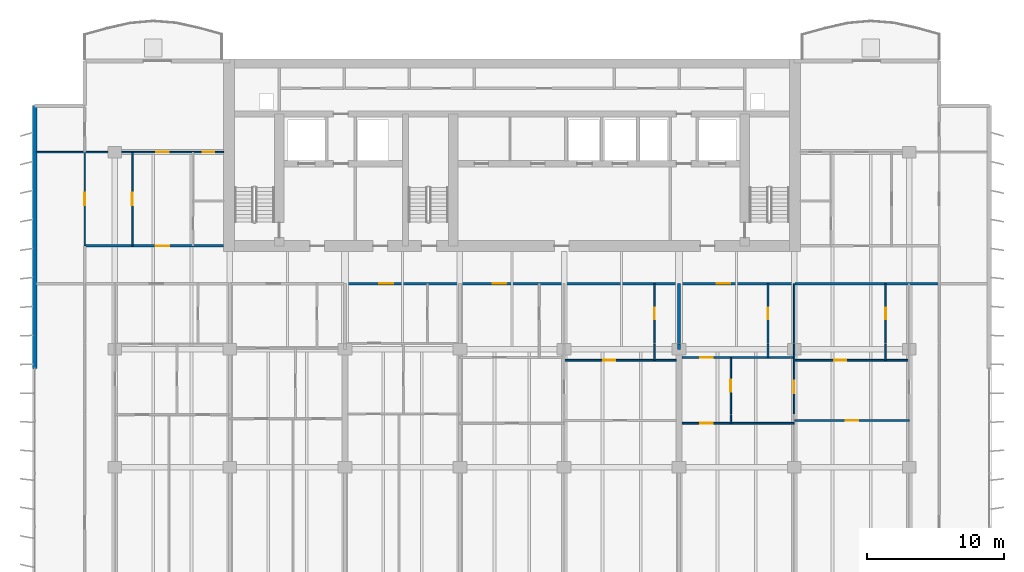
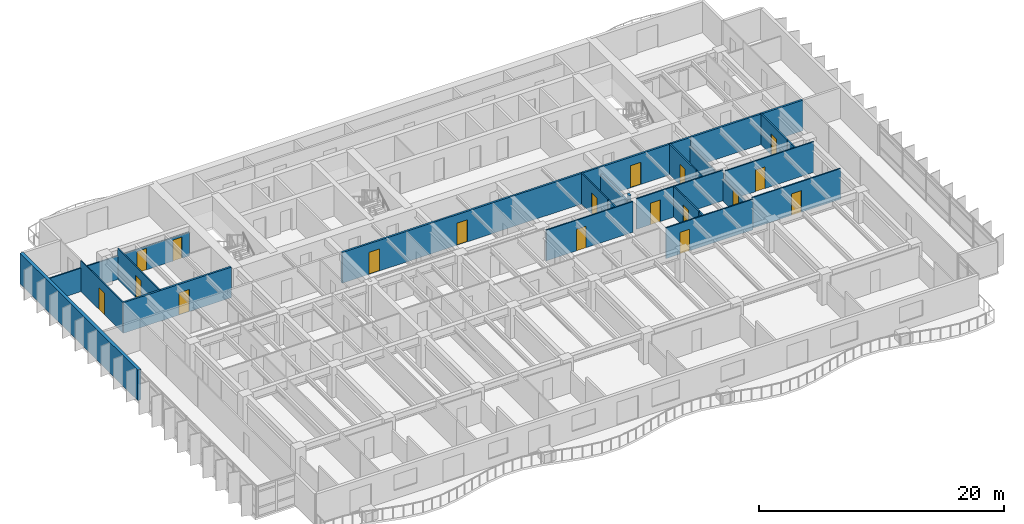
# One storey, part 9 of 16: 24 walls, 18 doors, 18 openings.
"""IFC4 building model written with IfcOpenShell, lengths in metres."""

import ifcopenshell
import ifcopenshell.guid

model = None  # the IFC model being written
_history = None  # IfcOwnerHistory: only IFC2X3 demands one
_inside = {}  # id of a spatial element -> (the spatial element, [elements in it])
_under = {}  # id of a project, library or spatial element -> (it, [spatial elements below it])
_declared = {}  # id of a project -> (the project, [libraries it declares])
_typed = {}  # id of a type object -> (the type object, [elements of that type])
_made_of = {}  # id of a material, layer set ... -> (it, [elements and type objects made of it])


def new_model(schema):
    """Start an empty IFC model of exactly this schema.

    Asked for "IFC4X3", IfcOpenShell would pick the latest addendum, in which some entities
    have other attributes; the version numbers below select the first issue.
    IFC2X3 requires an IfcOwnerHistory on every rooted entity: one is made here for all.
    """
    global model, _history
    if schema == "IFC4X3":
        model = ifcopenshell.file(schema_version=(4, 3, 0, 0))
    else:
        model = ifcopenshell.file(schema=schema)
    _inside.clear()
    _under.clear()
    _declared.clear()
    _typed.clear()
    _made_of.clear()
    _history = None
    if model.schema == "IFC2X3":
        org = make("IfcOrganization", Name="unknown")
        user = make(
            "IfcPersonAndOrganization",
            ThePerson=make("IfcPerson", FamilyName="unknown"),
            TheOrganization=org,
        )
        app = make(
            "IfcApplication",
            ApplicationDeveloper=org,
            Version="unknown",
            ApplicationFullName="unknown",
            ApplicationIdentifier="unknown",
        )
        _history = make(
            "IfcOwnerHistory",
            OwningUser=user,
            OwningApplication=app,
            ChangeAction="ADDED",
            CreationDate=0,
        )
    return model


def make(cls, **values):
    """One entity of the class cls with the attributes given. An attribute that is None is left unset."""
    return model.create_entity(
        cls, **{name: value for name, value in values.items() if value is not None}
    )


def rooted(cls, **values):
    """An entity with a GlobalId (a new one), such as an element, a storey or a relation."""
    return make(cls, GlobalId=ifcopenshell.guid.new(), OwnerHistory=_history, **values)


def si_unit(unit_type, name, prefix=None):
    """IfcSIUnit, for example si_unit("LENGTHUNIT", "METRE", prefix="MILLI")."""
    return make("IfcSIUnit", UnitType=unit_type, Prefix=prefix, Name=name)


def assignment(units):
    """IfcUnitAssignment: the units of a project."""
    return None if units is None else make("IfcUnitAssignment", Units=units)


def point(xyz):
    """IfcCartesianPoint."""
    return None if xyz is None else make("IfcCartesianPoint", Coordinates=xyz)


def direction(xyz):
    """IfcDirection."""
    return None if xyz is None else make("IfcDirection", DirectionRatios=xyz)


def frame(location, z_axis=None, x_axis=None):
    """IfcAxis2Placement3D, a coordinate frame: its origin and axes. An axis left out is left unset."""
    return make(
        "IfcAxis2Placement3D",
        Location=point(location),
        Axis=direction(z_axis),
        RefDirection=direction(x_axis),
    )


def frame_2d(location, x_axis=None):
    """IfcAxis2Placement2D, a coordinate frame in the plane: its origin and x axis."""
    return make(
        "IfcAxis2Placement2D", Location=point(location), RefDirection=direction(x_axis)
    )


def origin():
    """The frame at (0, 0, 0) with its axes left unset."""
    return frame((0.0, 0.0, 0.0))


def place(relative_to, where):
    """IfcLocalPlacement: puts the frame where relative to a parent placement (None: the world)."""
    return make(
        "IfcLocalPlacement", PlacementRelTo=relative_to, RelativePlacement=where
    )


def context(
    kind, dimensions, precision=None, world=None, true_north=None, identifier=None
):
    """IfcGeometricRepresentationContext, for example the 3D "Model" context."""
    return make(
        "IfcGeometricRepresentationContext",
        ContextIdentifier=identifier,
        ContextType=kind,
        CoordinateSpaceDimension=dimensions,
        Precision=precision,
        WorldCoordinateSystem=world,
        TrueNorth=true_north,
    )


def subcontext(parent, identifier, kind, view, scale=None):
    """IfcGeometricRepresentationSubContext, for example "Body" below "Model"."""
    return make(
        "IfcGeometricRepresentationSubContext",
        ContextIdentifier=identifier,
        ContextType=kind,
        ParentContext=parent,
        TargetScale=scale,
        TargetView=view,
    )


def project(units=None, contexts=None):
    """IfcProject with its units and contexts."""
    return rooted(
        "IfcProject",
        Name="project",
        RepresentationContexts=contexts,
        UnitsInContext=assignment(units),
    )


def spatial(cls, under=None, at=None, **own):
    """A site, building, storey or space (cls), placed at a placement, below another one or the project."""
    s = rooted(cls, ObjectPlacement=at, **own)
    if under is not None:
        _under.setdefault(under.id(), (under, []))[1].append(s)
    return s


def profile(cls, at=None, kind="AREA", **sizes):
    """A parametric profile (cls). Its sizes go by their IFC names, for example OverallWidth=200.0."""
    return make(cls, ProfileType=kind, Position=at, **sizes)


def rectangle(**sizes):
    """IfcRectangleProfileDef."""
    return profile("IfcRectangleProfileDef", **sizes)


def extrude(swept, where, along, depth):
    """IfcExtrudedAreaSolid: the profile swept, set in the frame where, extruded along a direction by depth."""
    return make(
        "IfcExtrudedAreaSolid",
        SweptArea=swept,
        Position=where,
        ExtrudedDirection=direction(along),
        Depth=depth,
    )


def shape(context_of_items, identifier, shape_type, items):
    """IfcShapeRepresentation: the items that make up one representation, for example the "Body"."""
    return make(
        "IfcShapeRepresentation",
        ContextOfItems=context_of_items,
        RepresentationIdentifier=identifier,
        RepresentationType=shape_type,
        Items=items,
    )


def material(Name=None, Category=None):
    """IfcMaterial."""
    return make("IfcMaterial", Name=Name, Category=Category)


def layer(
    of_material, thickness, ventilated=None, Name=None, Category=None, Priority=None
):
    """IfcMaterialLayer: one layer of a wall or slab, of a material (None: an air gap)."""
    return make(
        "IfcMaterialLayer",
        Material=of_material,
        LayerThickness=thickness,
        IsVentilated=ventilated,
        Name=Name,
        Category=Category,
        Priority=Priority,
    )


def layer_set(layers, Name=None):
    """IfcMaterialLayerSet."""
    return make("IfcMaterialLayerSet", MaterialLayers=layers, LayerSetName=Name)


def made_of(thing, what):
    """Note that an element or type object is made of a material, layer set ...; save() writes the relation."""
    if what is not None:
        _made_of.setdefault(what.id(), (what, []))[1].append(thing)
    return thing


def type_object(cls, material=None, **own):
    """A type object (cls), such as IfcWallType, which elements share."""
    return made_of(rooted(cls, **own), material)


def element(
    cls,
    number,
    at=None,
    inside=None,
    cuts=None,
    type_object=None,
    material=None,
    context=None,
    identifier="Body",
    shape_type=None,
    held_by="IfcProductDefinitionShape",
    body=None,
    shapes=None,
    **own,
):
    """One element of the class cls, such as IfcWall. Its Tag is "e" and its number.

    at: its placement. inside: the storey or other place that contains it. cuts: it is an
    opening in that element (IfcRelVoidsElement). A single representation is given by context,
    identifier, shape_type and body (its items); several are given by shapes. held_by: the class
    of the entity that holds the representations. save() writes the other relations.
    """
    e = rooted(cls, Tag="e%d" % number, ObjectPlacement=at, **own)
    if body is not None:
        shapes = [shape(context, identifier, shape_type, body)]
    if shapes is not None:
        e.Representation = make(held_by, Representations=shapes)
    if inside is not None:
        _inside.setdefault(inside.id(), (inside, []))[1].append(e)
    if cuts is not None:
        rooted(
            "IfcRelVoidsElement", RelatingBuildingElement=cuts, RelatedOpeningElement=e
        )
    if type_object is not None:
        _typed.setdefault(type_object.id(), (type_object, []))[1].append(e)
    return made_of(e, material)


def fill(opening, filler):
    """IfcRelFillsElement: the door or window that sits in an opening."""
    return rooted(
        "IfcRelFillsElement",
        RelatingOpeningElement=opening,
        RelatedBuildingElement=filler,
    )


def aggregate(whole, parts):
    """IfcRelAggregates: a whole, such as a stair, and the parts it consists of."""
    return rooted("IfcRelAggregates", RelatingObject=whole, RelatedObjects=parts)


def save(model, path):
    """Write the relations noted so far, then the file.

    IfcRelAggregates (storeys below a building ...), IfcRelContainedInSpatialStructure (elements
    in a storey), IfcRelDefinesByType, IfcRelAssociatesMaterial and IfcRelDeclares: one each for
    every whole, place, type object, material and project.
    """
    for whole, parts in _under.values():
        aggregate(whole, parts)
    for where, things in _inside.values():
        rooted(
            "IfcRelContainedInSpatialStructure",
            RelatedElements=things,
            RelatingStructure=where,
        )
    for kind, things in _typed.values():
        rooted("IfcRelDefinesByType", RelatedObjects=things, RelatingType=kind)
    for what, things in _made_of.values():
        rooted("IfcRelAssociatesMaterial", RelatedObjects=things, RelatingMaterial=what)
    for by, libraries in _declared.values():
        rooted("IfcRelDeclares", RelatingContext=by, RelatedDefinitions=libraries)
    model.write(path)


model = new_model("IFC4")

# Units and contexts
model_context = context("Model", 3, precision=1e-05, world=origin(), true_north=direction((0.0, 1.0)))
body_context = subcontext(model_context, "Body", "Model", "MODEL_VIEW")
ifc_project = project(units=[si_unit("LENGTHUNIT", "METRE"), si_unit("AREAUNIT", "SQUARE_METRE"), si_unit("VOLUMEUNIT", "CUBIC_METRE"), si_unit("PLANEANGLEUNIT", "RADIAN"), si_unit("MASSUNIT", "GRAM", prefix="KILO")], contexts=[model_context])

# Site, building, storey
site_placement = place(None, origin())
site = spatial("IfcSite", under=ifc_project, at=site_placement, CompositionType="ELEMENT")
building_placement = place(site_placement, origin())
building = spatial("IfcBuilding", under=site, at=building_placement, Name="Caelmar Bay Residences", CompositionType="ELEMENT")
storey_placement = place(building_placement, frame((0.0, 0.0, 145.5)))
storey = spatial("IfcBuildingStorey", under=building, at=storey_placement, Name="L40", CompositionType="ELEMENT", Elevation=145.5)

# Wall, openings, doors
ifc_material_1 = material(Name="Double-stud acoustic fire-rated gypsum partition 180 mm")
ifc_layer_1 = layer(ifc_material_1, 0.179931640625)
ifc_layer_set_1 = layer_set([ifc_layer_1], Name="Double-stud acoustic fire-rated gypsum partition 180 mm")
wall_type_1 = type_object("IfcWallType", Name="W-COR-200", PredefinedType="PARTITIONING", material=ifc_layer_set_1)
wall_1_placement = place(storey_placement, frame((26.699951171875, 34.199951171875, 0.0), z_axis=(0.0, 0.0, 1.0), x_axis=(1.0, 0.0, 0.0)))
wall_1 = element("IfcWall", 1, at=wall_1_placement, inside=storey, type_object=wall_type_1, Name="L40 Partition Wall H112", PredefinedType="PARTITIONING", context=body_context, shape_type="SweptSolid", body=[
    extrude(rectangle(XDim=32.800048828125, YDim=0.179931640625, at=frame_2d((16.39990234375, 0.0))), origin(), (0.0, 0.0, 1.0), 3.050048828125),
])
opening_1_placement = place(wall_1_placement, frame((2.51904296875, 0.0, 0.0)))
opening_1 = element("IfcOpeningElement", 2, at=opening_1_placement, cuts=wall_1, Name="Opening D-L40-139", PredefinedType="OPENING", context=body_context, shape_type="SweptSolid", body=[
    extrude(rectangle(XDim=1.0, YDim=2.199951171875, at=frame_2d((0.5, 1.10009765625))), frame((0.0, 0.099853515625, 0.0), z_axis=(0.0, -1.0, 0.0), x_axis=(1.0, 0.0, 0.0)), (0.0, 0.0, 1.0), 0.199951171875),
])
opening_2_placement = place(wall_1_placement, frame((10.79248046875, 0.0, 0.0)))
opening_2 = element("IfcOpeningElement", 3, at=opening_2_placement, cuts=wall_1, Name="Opening D-L40-146", PredefinedType="OPENING", context=body_context, shape_type="SweptSolid", body=[
    extrude(rectangle(XDim=1.0, YDim=2.199951171875, at=frame_2d((0.5, 1.10009765625))), frame((0.0, 0.099853515625, 0.0), z_axis=(0.0, -1.0, 0.0), x_axis=(1.0, 0.0, 0.0)), (0.0, 0.0, 1.0), 0.199951171875),
])
opening_3_placement = place(wall_1_placement, frame((27.146484375, 0.0, 0.0)))
opening_3 = element("IfcOpeningElement", 4, at=opening_3_placement, cuts=wall_1, Name="Opening D-L40-155", PredefinedType="OPENING", context=body_context, shape_type="SweptSolid", body=[
    extrude(rectangle(XDim=1.0, YDim=2.199951171875, at=frame_2d((0.5, 1.10009765625))), frame((0.0, 0.099853515625, 0.0), z_axis=(0.0, -1.0, 0.0), x_axis=(1.0, 0.0, 0.0)), (0.0, 0.0, 1.0), 0.199951171875),
])
ifc_material_2 = material(Name="Fire-rated steel and walnut architectural door assembly", Category="steel")
ifc_layer_2 = layer(ifc_material_2, 0.050048828125)
ifc_layer_set_2 = layer_set([ifc_layer_2], Name="Fire-rated steel and walnut architectural door assembly")
door_type_1 = type_object("IfcDoorType", Name="D-UNIT-1000", OperationType="NOTDEFINED", PredefinedType="DOOR", material=ifc_layer_set_2)
door_1_placement = place(opening_1_placement, origin())
door_1 = element("IfcDoor", 5, at=door_1_placement, inside=storey, type_object=door_type_1, Name="L40 Residence 03 Apartment Hall Door", OperationType="SINGLE_SWING_LEFT", OverallHeight=2.199951171875, OverallWidth=1.0, PredefinedType="DOOR", context=body_context, shape_type="SweptSolid", body=[
    extrude(rectangle(XDim=1.0, YDim=2.199951171875, at=frame_2d((0.5, 1.10009765625))), frame((0.0, 0.02490234375, 0.0), z_axis=(0.0, -1.0, 0.0), x_axis=(1.0, 0.0, 0.0)), (0.0, 0.0, 1.0), 0.050048828125),
])
fill(opening_1, door_1)
door_2_placement = place(opening_2_placement, origin())
door_2 = element("IfcDoor", 6, at=door_2_placement, inside=storey, type_object=door_type_1, Name="L40 Residence 04 Apartment Hall Door", OperationType="SINGLE_SWING_RIGHT", OverallHeight=2.199951171875, OverallWidth=1.0, PredefinedType="DOOR", context=body_context, shape_type="SweptSolid", body=[
    extrude(rectangle(XDim=1.0, YDim=2.199951171875, at=frame_2d((0.5, 1.10009765625))), frame((0.0, 0.02490234375, 0.0), z_axis=(0.0, -1.0, 0.0), x_axis=(1.0, 0.0, 0.0)), (0.0, 0.0, 1.0), 0.050048828125),
])
fill(opening_2, door_2)
door_3_placement = place(opening_3_placement, origin())
door_3 = element("IfcDoor", 7, at=door_3_placement, inside=storey, type_object=door_type_1, Name="L40 Residence 05 Apartment Hall Door", OperationType="SINGLE_SWING_LEFT", OverallHeight=2.199951171875, OverallWidth=1.0, PredefinedType="DOOR", context=body_context, shape_type="SweptSolid", body=[
    extrude(rectangle(XDim=1.0, YDim=2.199951171875, at=frame_2d((0.5, 1.10009765625))), frame((0.0, 0.02490234375, 0.0), z_axis=(0.0, -1.0, 0.0), x_axis=(1.0, 0.0, 0.0)), (0.0, 0.0, 1.0), 0.050048828125),
])
fill(opening_3, door_3)

# Wall
wall_2_placement = place(storey_placement, frame((59.550048828125, 34.199951171875, 0.0), z_axis=(0.0, 0.0, 1.0), x_axis=(1.0, 0.0, 0.0)))
element("IfcWall", 8, at=wall_2_placement, inside=storey, type_object=wall_type_1, Name="L40 Partition Wall H113", PredefinedType="PARTITIONING", context=body_context, shape_type="SweptSolid", body=[
    extrude(rectangle(XDim=10.550048828125, YDim=0.179931640625, at=frame_2d((5.27490234375, 0.0))), origin(), (0.0, 0.0, 1.0), 3.050048828125),
])

# Wall, opening, door
wall_3_placement = place(storey_placement, frame((7.699951171875, 36.949951171875, 0.0), z_axis=(0.0, 0.0, 1.0), x_axis=(1.0, 0.0, 0.0)))
wall_3 = element("IfcWall", 9, at=wall_3_placement, inside=storey, type_object=wall_type_1, Name="L40 Partition Wall H115", PredefinedType="PARTITIONING", context=body_context, shape_type="SweptSolid", body=[
    extrude(rectangle(XDim=10.14501953125, YDim=0.179931640625, at=frame_2d((5.072509765625, 0.0))), origin(), (0.0, 0.0, 1.0), 3.050048828125),
])
opening_4_placement = place(wall_3_placement, frame((5.18798828125, 0.0, 0.0)))
opening_4 = element("IfcOpeningElement", 10, at=opening_4_placement, cuts=wall_3, Name="Opening D-L40-169", PredefinedType="OPENING", context=body_context, shape_type="SweptSolid", body=[
    extrude(rectangle(XDim=1.0, YDim=2.199951171875, at=frame_2d((0.5, 1.10009765625))), frame((0.0, 0.099853515625, 0.0), z_axis=(0.0, -1.0, 0.0), x_axis=(1.0, 0.0, 0.0)), (0.0, 0.0, 1.0), 0.199951171875),
])
door_4_placement = place(opening_4_placement, origin())
door_4 = element("IfcDoor", 11, at=door_4_placement, inside=storey, type_object=door_type_1, Name="L40 Residence WA Kitchen Door", OperationType="SINGLE_SWING_LEFT", OverallHeight=2.199951171875, OverallWidth=1.0, PredefinedType="DOOR", context=body_context, shape_type="SweptSolid", body=[
    extrude(rectangle(XDim=1.0, YDim=2.199951171875, at=frame_2d((0.5, 1.10009765625))), frame((0.0, 0.02490234375, 0.0), z_axis=(0.0, -1.0, 0.0), x_axis=(1.0, 0.0, 0.0)), (0.0, 0.0, 1.0), 0.050048828125),
])
fill(opening_4, door_4)

# Wall
ifc_material_3 = material(Name="Precast concrete f'c 40 MPa (6,000 psi)", Category="concrete")
ifc_layer_3 = layer(ifc_material_3, 0.300048828125)
ifc_layer_set_3 = layer_set([ifc_layer_3], Name="Precast concrete f'c 40 MPa (6,000 psi)")
wall_type_2 = type_object("IfcWallType", Name="W-EXT-300", PredefinedType="STANDARD", material=ifc_layer_set_3)
wall_4_placement = place(storey_placement, frame((4.050048828125, 28.0, 0.0), z_axis=(0.0, 0.0, 1.0), x_axis=(0.0, 1.0, 0.0)))
element("IfcWall", 12, at=wall_4_placement, inside=storey, type_object=wall_type_2, Name="L40 West Rear Exterior Wall", PredefinedType="STANDARD", context=body_context, shape_type="SweptSolid", body=[
    extrude(rectangle(XDim=19.199951171875, YDim=0.300048828125, at=frame_2d((9.60009765625, 0.0))), origin(), (0.0, 0.0, 1.0), 3.050048828125),
])

# Wall, opening, door
ifc_material_4 = material(Name="Anodised bronze framed acoustic sliding study partition 100 mm")
ifc_layer_4 = layer(ifc_material_4, 0.10009765625)
ifc_layer_set_4 = layer_set([ifc_layer_4], Name="Anodised bronze framed acoustic sliding study partition 100 mm")
wall_type_3 = type_object("IfcWallType", Name="W-MOV-100", PredefinedType="MOVABLE", material=ifc_layer_set_4)
wall_5_placement = place(storey_placement, frame((7.699951171875, 36.955078125, 0.0), z_axis=(0.0, 0.0, 1.0), x_axis=(0.0, 1.0, 0.0)))
wall_5 = element("IfcWall", 13, at=wall_5_placement, inside=storey, type_object=wall_type_3, Name="L40 Partition Wall V005", PredefinedType="MOVABLE", context=body_context, shape_type="SweptSolid", body=[
    extrude(rectangle(XDim=6.844970703125, YDim=0.10009765625, at=frame_2d((3.42236328125, 0.0))), origin(), (0.0, 0.0, 1.0), 3.050048828125),
])
opening_5_placement = place(wall_5_placement, frame((2.972412109375, 0.0, 0.0)))
opening_5 = element("IfcOpeningElement", 14, at=opening_5_placement, cuts=wall_5, Name="Opening D-L40-173", PredefinedType="OPENING", context=body_context, shape_type="SweptSolid", body=[
    extrude(rectangle(XDim=0.89990234375, YDim=2.14990234375, at=frame_2d((0.449951171875, 1.074951171875))), frame((0.0, 0.06005859375, 0.0), z_axis=(0.0, -1.0, 0.0), x_axis=(1.0, 0.0, 0.0)), (0.0, 0.0, 1.0), 0.1201171875),
])
ifc_material_5 = material(Name="Solid walnut timber interior door leaf and frame", Category="wood")
ifc_layer_5 = layer(ifc_material_5, 0.050048828125)
ifc_layer_set_5 = layer_set([ifc_layer_5], Name="Solid walnut timber interior door leaf and frame")
door_type_2 = type_object("IfcDoorType", Name="D-ROOM-900", OperationType="NOTDEFINED", PredefinedType="DOOR", material=ifc_layer_set_5)
door_5_placement = place(opening_5_placement, origin())
door_5 = element("IfcDoor", 15, at=door_5_placement, inside=storey, type_object=door_type_2, Name="L40 Residence WA Sun Study Door", OperationType="SINGLE_SWING_LEFT", OverallHeight=2.14990234375, OverallWidth=0.89990234375, PredefinedType="DOOR", context=body_context, shape_type="SweptSolid", body=[
    extrude(rectangle(XDim=0.89990234375, YDim=2.14990234375, at=frame_2d((0.449951171875, 1.074951171875))), frame((0.0, 0.02490234375, 0.0), z_axis=(0.0, -1.0, 0.0), x_axis=(1.0, 0.0, 0.0)), (0.0, 0.0, 1.0), 0.050048828125),
])
fill(opening_5, door_5)

ifc_material_6 = material(Name="Acoustic metal-stud gypsum partition 120 mm")
ifc_layer_6 = layer(ifc_material_6, 0.1201171875)
ifc_layer_set_6 = layer_set([ifc_layer_6], Name="Acoustic metal-stud gypsum partition 120 mm")
wall_type_4 = type_object("IfcWallType", Name="W-PRT-120", PredefinedType="PARTITIONING", material=ifc_layer_set_6)
wall_6_placement = place(storey_placement, frame((11.176025390625, 36.949951171875, 0.0), z_axis=(0.0, 0.0, 1.0), x_axis=(0.0, 1.0, 0.0)))
wall_6 = element("IfcWall", 16, at=wall_6_placement, inside=storey, type_object=wall_type_4, Name="L40 Partition Wall V011", PredefinedType="PARTITIONING", context=body_context, shape_type="SweptSolid", body=[
    extrude(rectangle(XDim=6.85009765625, YDim=0.1201171875, at=frame_2d((3.425048828125, 0.0))), origin(), (0.0, 0.0, 1.0), 3.050048828125),
])
opening_6_placement = place(wall_6_placement, frame((2.97509765625, 0.0, 0.0)))
opening_6 = element("IfcOpeningElement", 17, at=opening_6_placement, cuts=wall_6, Name="Opening D-L40-168", PredefinedType="OPENING", context=body_context, shape_type="SweptSolid", body=[
    extrude(rectangle(XDim=0.89990234375, YDim=2.14990234375, at=frame_2d((0.449951171875, 1.074951171875))), frame((0.0, 0.070068359375, 0.0), z_axis=(0.0, -1.0, 0.0), x_axis=(1.0, 0.0, 0.0)), (0.0, 0.0, 1.0), 0.14013671875),
])
door_6_placement = place(opening_6_placement, origin())
door_6 = element("IfcDoor", 18, at=door_6_placement, inside=storey, type_object=door_type_2, Name="L40 Residence WA Dining Room Door", OperationType="SINGLE_SWING_RIGHT", OverallHeight=2.14990234375, OverallWidth=0.89990234375, PredefinedType="DOOR", context=body_context, shape_type="SweptSolid", body=[
    extrude(rectangle(XDim=0.89990234375, YDim=2.14990234375, at=frame_2d((0.449951171875, 1.074951171875))), frame((0.0, 0.02490234375, 0.0), z_axis=(0.0, -1.0, 0.0), x_axis=(1.0, 0.0, 0.0)), (0.0, 0.0, 1.0), 0.050048828125),
])
fill(opening_6, door_6)

# Wall
wall_7_placement = place(storey_placement, frame((49.2958984375, 28.60009765625, 0.0), z_axis=(0.0, 0.0, 1.0), x_axis=(0.0, 1.0, 0.0)))
element("IfcWall", 19, at=wall_7_placement, inside=storey, type_object=wall_type_4, Name="L40 Partition Wall V057", PredefinedType="PARTITIONING", context=body_context, shape_type="SweptSolid", body=[
    extrude(rectangle(XDim=1.179931640625, YDim=0.1201171875, at=frame_2d((0.58984375, 0.0))), origin(), (0.0, 0.0, 1.0), 3.050048828125),
])

# Wall, opening, door
wall_8_placement = place(storey_placement, frame((49.2958984375, 29.840087890625, 0.0), z_axis=(0.0, 0.0, 1.0), x_axis=(0.0, 1.0, 0.0)))
wall_8 = element("IfcWall", 20, at=wall_8_placement, inside=storey, type_object=wall_type_4, Name="L40 Partition Wall V058", PredefinedType="PARTITIONING", context=body_context, shape_type="SweptSolid", body=[
    extrude(rectangle(XDim=4.35986328125, YDim=0.1201171875, at=frame_2d((2.179931640625, 0.0))), origin(), (0.0, 0.0, 1.0), 3.050048828125),
])
opening_7_placement = place(wall_8_placement, frame((1.7548828125, 0.0, 0.0)))
opening_7 = element("IfcOpeningElement", 21, at=opening_7_placement, cuts=wall_8, Name="Opening D-L40-152", PredefinedType="OPENING", context=body_context, shape_type="SweptSolid", body=[
    extrude(rectangle(XDim=0.85009765625, YDim=2.10009765625, at=frame_2d((0.425048828125, 1.050048828125))), frame((0.0, 0.070068359375, 0.0), z_axis=(0.0, -1.0, 0.0), x_axis=(1.0, 0.0, 0.0)), (0.0, 0.0, 1.0), 0.14013671875),
])
ifc_layer_7 = layer(ifc_material_5, 0.050048828125)
ifc_layer_set_7 = layer_set([ifc_layer_7], Name="Solid walnut timber interior door leaf and frame")
door_type_3 = type_object("IfcDoorType", Name="D-BATH-850", OperationType="NOTDEFINED", PredefinedType="DOOR", material=ifc_layer_set_7)
door_7_placement = place(opening_7_placement, origin())
door_7 = element("IfcDoor", 22, at=door_7_placement, inside=storey, type_object=door_type_3, Name="L40 Residence 04 En-Suite Bathroom 1 Door", OperationType="SINGLE_SWING_RIGHT", OverallHeight=2.10009765625, OverallWidth=0.85009765625, PredefinedType="DOOR", context=body_context, shape_type="SweptSolid", body=[
    extrude(rectangle(XDim=0.85009765625, YDim=2.10009765625, at=frame_2d((0.425048828125, 1.050048828125))), frame((0.0, 0.02490234375, 0.0), z_axis=(0.0, -1.0, 0.0), x_axis=(1.0, 0.0, 0.0)), (0.0, 0.0, 1.0), 0.050048828125),
])
fill(opening_7, door_7)

# Wall
wall_9_placement = place(storey_placement, frame((54.8798828125, 24.0, 0.0), z_axis=(0.0, 0.0, 1.0), x_axis=(0.0, 1.0, 0.0)))
element("IfcWall", 23, at=wall_9_placement, inside=storey, type_object=wall_type_4, Name="L40 Partition Wall V067", PredefinedType="PARTITIONING", context=body_context, shape_type="SweptSolid", body=[
    extrude(rectangle(XDim=0.6298828125, YDim=0.1201171875, at=frame_2d((0.31494140625, 0.0))), origin(), (0.0, 0.0, 1.0), 3.050048828125),
])

# Wall, opening, door
wall_10_placement = place(storey_placement, frame((54.8798828125, 24.68994140625, 0.0), z_axis=(0.0, 0.0, 1.0), x_axis=(0.0, 1.0, 0.0)))
wall_10 = element("IfcWall", 24, at=wall_10_placement, inside=storey, type_object=wall_type_4, Name="L40 Partition Wall V068", PredefinedType="PARTITIONING", context=body_context, shape_type="SweptSolid", body=[
    extrude(rectangle(XDim=4.110107421875, YDim=0.1201171875, at=frame_2d((2.05517578125, 0.0))), origin(), (0.0, 0.0, 1.0), 3.050048828125),
])
opening_8_placement = place(wall_10_placement, frame((1.60498046875, 0.0, 0.0)))
opening_8 = element("IfcOpeningElement", 25, at=opening_8_placement, cuts=wall_10, Name="Opening D-L40-158", PredefinedType="OPENING", context=body_context, shape_type="SweptSolid", body=[
    extrude(rectangle(XDim=0.89990234375, YDim=2.14990234375, at=frame_2d((0.449951171875, 1.074951171875))), frame((0.0, 0.070068359375, 0.0), z_axis=(0.0, -1.0, 0.0), x_axis=(1.0, 0.0, 0.0)), (0.0, 0.0, 1.0), 0.14013671875),
])
door_8_placement = place(opening_8_placement, origin())
door_8 = element("IfcDoor", 26, at=door_8_placement, inside=storey, type_object=door_type_2, Name="L40 Residence 05 Kitchen Door", OperationType="SINGLE_SWING_RIGHT", OverallHeight=2.14990234375, OverallWidth=0.89990234375, PredefinedType="DOOR", context=body_context, shape_type="SweptSolid", body=[
    extrude(rectangle(XDim=0.89990234375, YDim=2.14990234375, at=frame_2d((0.449951171875, 1.074951171875))), frame((0.0, 0.02490234375, 0.0), z_axis=(0.0, -1.0, 0.0), x_axis=(1.0, 0.0, 0.0)), (0.0, 0.0, 1.0), 0.050048828125),
])
fill(opening_8, door_8)

# Wall
wall_11_placement = place(storey_placement, frame((57.593017578125, 28.800048828125, 0.0), z_axis=(0.0, 0.0, 1.0), x_axis=(0.0, 1.0, 0.0)))
element("IfcWall", 27, at=wall_11_placement, inside=storey, type_object=wall_type_4, Name="L40 Partition Wall V070", PredefinedType="PARTITIONING", context=body_context, shape_type="SweptSolid", body=[
    extrude(rectangle(XDim=0.97998046875, YDim=0.1201171875, at=frame_2d((0.489990234375, 0.0))), origin(), (0.0, 0.0, 1.0), 3.050048828125),
])

# Wall, opening, door
wall_12_placement = place(storey_placement, frame((57.593017578125, 29.840087890625, 0.0), z_axis=(0.0, 0.0, 1.0), x_axis=(0.0, 1.0, 0.0)))
wall_12 = element("IfcWall", 28, at=wall_12_placement, inside=storey, type_object=wall_type_4, Name="L40 Partition Wall V071", PredefinedType="PARTITIONING", context=body_context, shape_type="SweptSolid", body=[
    extrude(rectangle(XDim=4.35986328125, YDim=0.1201171875, at=frame_2d((2.179931640625, 0.0))), origin(), (0.0, 0.0, 1.0), 3.050048828125),
])
opening_9_placement = place(wall_12_placement, frame((1.7548828125, 0.0, 0.0)))
opening_9 = element("IfcOpeningElement", 29, at=opening_9_placement, cuts=wall_12, Name="Opening D-L40-156", PredefinedType="OPENING", context=body_context, shape_type="SweptSolid", body=[
    extrude(rectangle(XDim=0.85009765625, YDim=2.10009765625, at=frame_2d((0.425048828125, 1.050048828125))), frame((0.0, 0.070068359375, 0.0), z_axis=(0.0, -1.0, 0.0), x_axis=(1.0, 0.0, 0.0)), (0.0, 0.0, 1.0), 0.14013671875),
])
door_9_placement = place(opening_9_placement, origin())
door_9 = element("IfcDoor", 30, at=door_9_placement, inside=storey, type_object=door_type_3, Name="L40 Residence 05 Guest Bathroom Door", OperationType="SINGLE_SWING_RIGHT", OverallHeight=2.10009765625, OverallWidth=0.85009765625, PredefinedType="DOOR", context=body_context, shape_type="SweptSolid", body=[
    extrude(rectangle(XDim=0.85009765625, YDim=2.10009765625, at=frame_2d((0.425048828125, 1.050048828125))), frame((0.0, 0.02490234375, 0.0), z_axis=(0.0, -1.0, 0.0), x_axis=(1.0, 0.0, 0.0)), (0.0, 0.0, 1.0), 0.050048828125),
])
fill(opening_9, door_9)

wall_13_placement = place(storey_placement, frame((59.5, 24.68994140625, 0.0), z_axis=(0.0, 0.0, 1.0), x_axis=(0.0, 1.0, 0.0)))
wall_13 = element("IfcWall", 31, at=wall_13_placement, inside=storey, type_object=wall_type_4, Name="L40 Partition Wall V074", PredefinedType="PARTITIONING", context=body_context, shape_type="SweptSolid", body=[
    extrude(rectangle(XDim=5.090087890625, YDim=0.1201171875, at=frame_2d((2.544921875, 0.0))), origin(), (0.0, 0.0, 1.0), 2.174072265625),
])
opening_10_placement = place(wall_13_placement, frame((1.5048828125, 0.0, 0.0)))
opening_10 = element("IfcOpeningElement", 32, at=opening_10_placement, cuts=wall_13, Name="Opening D-L40-160", PredefinedType="OPENING", context=body_context, shape_type="SweptSolid", body=[
    extrude(rectangle(XDim=0.89990234375, YDim=2.1240234375, at=frame_2d((0.449951171875, 1.06201171875))), frame((0.0, 0.070068359375, 0.0), z_axis=(0.0, -1.0, 0.0), x_axis=(1.0, 0.0, 0.0)), (0.0, 0.0, 1.0), 0.14013671875),
])
door_10_placement = place(opening_10_placement, origin())
door_10 = element("IfcDoor", 33, at=door_10_placement, inside=storey, type_object=door_type_2, Name="L40 Residence 05 Atelier Office 1 Door", OperationType="SINGLE_SWING_RIGHT", OverallHeight=2.1240234375, OverallWidth=0.89990234375, PredefinedType="DOOR", context=body_context, shape_type="SweptSolid", body=[
    extrude(rectangle(XDim=0.89990234375, YDim=2.1240234375, at=frame_2d((0.449951171875, 1.06201171875))), frame((0.0, 0.02490234375, 0.0), z_axis=(0.0, -1.0, 0.0), x_axis=(1.0, 0.0, 0.0)), (0.0, 0.0, 1.0), 0.050048828125),
])
fill(opening_10, door_10)

# Walls
wall_14_placement = place(storey_placement, frame((59.5, 29.840087890625, 0.0), z_axis=(0.0, 0.0, 1.0), x_axis=(0.0, 1.0, 0.0)))
element("IfcWall", 34, at=wall_14_placement, inside=storey, type_object=wall_type_4, Name="L40 Partition Wall V075", PredefinedType="PARTITIONING", context=body_context, shape_type="SweptSolid", body=[
    extrude(rectangle(XDim=4.35986328125, YDim=0.1201171875, at=frame_2d((2.179931640625, 0.0))), origin(), (0.0, 0.0, 1.0), 2.174072265625),
])
wall_15_placement = place(storey_placement, frame((66.18603515625, 28.60009765625, 0.0), z_axis=(0.0, 0.0, 1.0), x_axis=(0.0, 1.0, 0.0)))
element("IfcWall", 35, at=wall_15_placement, inside=storey, type_object=wall_type_4, Name="L40 Partition Wall V077", PredefinedType="PARTITIONING", context=body_context, shape_type="SweptSolid", body=[
    extrude(rectangle(XDim=1.179931640625, YDim=0.1201171875, at=frame_2d((0.58984375, 0.0))), origin(), (0.0, 0.0, 1.0), 3.050048828125),
])

# Wall, opening, door
wall_16_placement = place(storey_placement, frame((66.18603515625, 29.840087890625, 0.0), z_axis=(0.0, 0.0, 1.0), x_axis=(0.0, 1.0, 0.0)))
wall_16 = element("IfcWall", 36, at=wall_16_placement, inside=storey, type_object=wall_type_4, Name="L40 Partition Wall V078", PredefinedType="PARTITIONING", context=body_context, shape_type="SweptSolid", body=[
    extrude(rectangle(XDim=4.35986328125, YDim=0.1201171875, at=frame_2d((2.179931640625, 0.0))), origin(), (0.0, 0.0, 1.0), 3.050048828125),
])
opening_11_placement = place(wall_16_placement, frame((1.7548828125, 0.0, 0.0)))
opening_11 = element("IfcOpeningElement", 37, at=opening_11_placement, cuts=wall_16, Name="Opening D-L40-162", PredefinedType="OPENING", context=body_context, shape_type="SweptSolid", body=[
    extrude(rectangle(XDim=0.85009765625, YDim=2.10009765625, at=frame_2d((0.425048828125, 1.050048828125))), frame((0.0, 0.070068359375, 0.0), z_axis=(0.0, -1.0, 0.0), x_axis=(1.0, 0.0, 0.0)), (0.0, 0.0, 1.0), 0.14013671875),
])
door_11_placement = place(opening_11_placement, origin())
door_11 = element("IfcDoor", 38, at=door_11_placement, inside=storey, type_object=door_type_3, Name="L40 Residence 05 En-Suite Bathroom 1 Door", OperationType="SINGLE_SWING_RIGHT", OverallHeight=2.10009765625, OverallWidth=0.85009765625, PredefinedType="DOOR", context=body_context, shape_type="SweptSolid", body=[
    extrude(rectangle(XDim=0.85009765625, YDim=2.10009765625, at=frame_2d((0.425048828125, 1.050048828125))), frame((0.0, 0.02490234375, 0.0), z_axis=(0.0, -1.0, 0.0), x_axis=(1.0, 0.0, 0.0)), (0.0, 0.0, 1.0), 0.050048828125),
])
fill(opening_11, door_11)

wall_17_placement = place(storey_placement, frame((51.320068359375, 24.0, 0.0), z_axis=(0.0, 0.0, 1.0), x_axis=(1.0, 0.0, 0.0)))
wall_17 = element("IfcWall", 39, at=wall_17_placement, inside=storey, type_object=wall_type_4, Name="L40 Partition Wall H096", PredefinedType="PARTITIONING", context=body_context, shape_type="SweptSolid", body=[
    extrude(rectangle(XDim=8.179931640625, YDim=0.1201171875, at=frame_2d((4.08984375, 0.0))), origin(), (0.0, 0.0, 1.0), 3.050048828125),
])
opening_12_placement = place(wall_17_placement, frame((1.330078125, 0.0, 0.0)))
opening_12 = element("IfcOpeningElement", 40, at=opening_12_placement, cuts=wall_17, Name="Opening D-L40-159", PredefinedType="OPENING", context=body_context, shape_type="SweptSolid", body=[
    extrude(rectangle(XDim=0.89990234375, YDim=2.14990234375, at=frame_2d((0.449951171875, 1.074951171875))), frame((0.0, 0.070068359375, 0.0), z_axis=(0.0, -1.0, 0.0), x_axis=(1.0, 0.0, 0.0)), (0.0, 0.0, 1.0), 0.14013671875),
])
door_12_placement = place(opening_12_placement, origin())
door_12 = element("IfcDoor", 41, at=door_12_placement, inside=storey, type_object=door_type_2, Name="L40 Residence 05 Penthouse Living Salon Door", OperationType="SINGLE_SWING_LEFT", OverallHeight=2.14990234375, OverallWidth=0.89990234375, PredefinedType="DOOR", context=body_context, shape_type="SweptSolid", body=[
    extrude(rectangle(XDim=0.89990234375, YDim=2.14990234375, at=frame_2d((0.449951171875, 1.074951171875))), frame((0.0, 0.02490234375, 0.0), z_axis=(0.0, -1.0, 0.0), x_axis=(1.0, 0.0, 0.0)), (0.0, 0.0, 1.0), 0.050048828125),
])
fill(opening_12, door_12)

wall_18_placement = place(storey_placement, frame((59.550048828125, 24.199951171875, 0.0), z_axis=(0.0, 0.0, 1.0), x_axis=(1.0, 0.0, 0.0)))
wall_18 = element("IfcWall", 42, at=wall_18_placement, inside=storey, type_object=wall_type_4, Name="L40 Partition Wall H098", PredefinedType="PARTITIONING", context=body_context, shape_type="SweptSolid", body=[
    extrude(rectangle(XDim=8.349853515625, YDim=0.1201171875, at=frame_2d((4.1748046875, 0.0))), origin(), (0.0, 0.0, 1.0), 3.050048828125),
])
opening_13_placement = place(wall_18_placement, frame((3.72509765625, 0.0, 0.0)))
opening_13 = element("IfcOpeningElement", 43, at=opening_13_placement, cuts=wall_18, Name="Opening D-L40-163", PredefinedType="OPENING", context=body_context, shape_type="SweptSolid", body=[
    extrude(rectangle(XDim=0.89990234375, YDim=2.14990234375, at=frame_2d((0.449951171875, 1.074951171875))), frame((0.0, 0.070068359375, 0.0), z_axis=(0.0, -1.0, 0.0), x_axis=(1.0, 0.0, 0.0)), (0.0, 0.0, 1.0), 0.14013671875),
])
door_13_placement = place(opening_13_placement, origin())
door_13 = element("IfcDoor", 44, at=door_13_placement, inside=storey, type_object=door_type_2, Name="L40 Residence 05 Penthouse Sitting Salon 1 Door", OperationType="SINGLE_SWING_LEFT", OverallHeight=2.14990234375, OverallWidth=0.89990234375, PredefinedType="DOOR", context=body_context, shape_type="SweptSolid", body=[
    extrude(rectangle(XDim=0.89990234375, YDim=2.14990234375, at=frame_2d((0.449951171875, 1.074951171875))), frame((0.0, 0.02490234375, 0.0), z_axis=(0.0, -1.0, 0.0), x_axis=(1.0, 0.0, 0.0)), (0.0, 0.0, 1.0), 0.050048828125),
])
fill(opening_13, door_13)

wall_19_placement = place(storey_placement, frame((42.699951171875, 28.60009765625, 0.0), z_axis=(0.0, 0.0, 1.0), x_axis=(1.0, 0.0, 0.0)))
wall_19 = element("IfcWall", 45, at=wall_19_placement, inside=storey, type_object=wall_type_4, Name="L40 Partition Wall H102", PredefinedType="PARTITIONING", context=body_context, shape_type="SweptSolid", body=[
    extrude(rectangle(XDim=8.179931640625, YDim=0.1201171875, at=frame_2d((4.08984375, 0.0))), origin(), (0.0, 0.0, 1.0), 3.050048828125),
])
opening_14_placement = place(wall_19_placement, frame((2.847900390625, 0.0, 0.0)))
opening_14 = element("IfcOpeningElement", 46, at=opening_14_placement, cuts=wall_19, Name="Opening D-L40-151", PredefinedType="OPENING", context=body_context, shape_type="SweptSolid", body=[
    extrude(rectangle(XDim=0.89990234375, YDim=2.14990234375, at=frame_2d((0.449951171875, 1.074951171875))), frame((0.0, 0.070068359375, 0.0), z_axis=(0.0, -1.0, 0.0), x_axis=(1.0, 0.0, 0.0)), (0.0, 0.0, 1.0), 0.14013671875),
])
door_14_placement = place(opening_14_placement, origin())
door_14 = element("IfcDoor", 47, at=door_14_placement, inside=storey, type_object=door_type_2, Name="L40 Residence 04 Executive Workroom 1 Door", OperationType="SINGLE_SWING_LEFT", OverallHeight=2.14990234375, OverallWidth=0.89990234375, PredefinedType="DOOR", context=body_context, shape_type="SweptSolid", body=[
    extrude(rectangle(XDim=0.89990234375, YDim=2.14990234375, at=frame_2d((0.449951171875, 1.074951171875))), frame((0.0, 0.02490234375, 0.0), z_axis=(0.0, -1.0, 0.0), x_axis=(1.0, 0.0, 0.0)), (0.0, 0.0, 1.0), 0.050048828125),
])
fill(opening_14, door_14)

wall_20_placement = place(storey_placement, frame((59.550048828125, 28.60009765625, 0.0), z_axis=(0.0, 0.0, 1.0), x_axis=(1.0, 0.0, 0.0)))
wall_20 = element("IfcWall", 48, at=wall_20_placement, inside=storey, type_object=wall_type_4, Name="L40 Partition Wall H103", PredefinedType="PARTITIONING", context=body_context, shape_type="SweptSolid", body=[
    extrude(rectangle(XDim=8.349853515625, YDim=0.1201171875, at=frame_2d((4.1748046875, 0.0))), origin(), (0.0, 0.0, 1.0), 3.050048828125),
])
opening_15_placement = place(wall_20_placement, frame((2.867919921875, 0.0, 0.0)))
opening_15 = element("IfcOpeningElement", 49, at=opening_15_placement, cuts=wall_20, Name="Opening D-L40-161", PredefinedType="OPENING", context=body_context, shape_type="SweptSolid", body=[
    extrude(rectangle(XDim=0.89990234375, YDim=2.14990234375, at=frame_2d((0.449951171875, 1.074951171875))), frame((0.0, 0.070068359375, 0.0), z_axis=(0.0, -1.0, 0.0), x_axis=(1.0, 0.0, 0.0)), (0.0, 0.0, 1.0), 0.14013671875),
])
door_15_placement = place(opening_15_placement, origin())
door_15 = element("IfcDoor", 50, at=door_15_placement, inside=storey, type_object=door_type_2, Name="L40 Residence 05 Executive Workroom 1 Door", OperationType="SINGLE_SWING_LEFT", OverallHeight=2.14990234375, OverallWidth=0.89990234375, PredefinedType="DOOR", context=body_context, shape_type="SweptSolid", body=[
    extrude(rectangle(XDim=0.89990234375, YDim=2.14990234375, at=frame_2d((0.449951171875, 1.074951171875))), frame((0.0, 0.02490234375, 0.0), z_axis=(0.0, -1.0, 0.0), x_axis=(1.0, 0.0, 0.0)), (0.0, 0.0, 1.0), 0.050048828125),
])
fill(opening_15, door_15)

wall_21_placement = place(storey_placement, frame((51.320068359375, 28.800048828125, 0.0), z_axis=(0.0, 0.0, 1.0), x_axis=(1.0, 0.0, 0.0)))
wall_21 = element("IfcWall", 51, at=wall_21_placement, inside=storey, type_object=wall_type_4, Name="L40 Partition Wall H105", PredefinedType="PARTITIONING", context=body_context, shape_type="SweptSolid", body=[
    extrude(rectangle(XDim=8.179931640625, YDim=0.1201171875, at=frame_2d((4.08984375, 0.0))), origin(), (0.0, 0.0, 1.0), 3.050048828125),
])
opening_16_placement = place(wall_21_placement, frame((1.330078125, 0.0, 0.0)))
opening_16 = element("IfcOpeningElement", 52, at=opening_16_placement, cuts=wall_21, Name="Opening D-L40-157", PredefinedType="OPENING", context=body_context, shape_type="SweptSolid", body=[
    extrude(rectangle(XDim=0.89990234375, YDim=2.14990234375, at=frame_2d((0.449951171875, 1.074951171875))), frame((0.0, 0.070068359375, 0.0), z_axis=(0.0, -1.0, 0.0), x_axis=(1.0, 0.0, 0.0)), (0.0, 0.0, 1.0), 0.14013671875),
])
door_16_placement = place(opening_16_placement, origin())
door_16 = element("IfcDoor", 53, at=door_16_placement, inside=storey, type_object=door_type_2, Name="L40 Residence 05 Dining Room Door", OperationType="SINGLE_SWING_LEFT", OverallHeight=2.14990234375, OverallWidth=0.89990234375, PredefinedType="DOOR", context=body_context, shape_type="SweptSolid", body=[
    extrude(rectangle(XDim=0.89990234375, YDim=2.14990234375, at=frame_2d((0.449951171875, 1.074951171875))), frame((0.0, 0.02490234375, 0.0), z_axis=(0.0, -1.0, 0.0), x_axis=(1.0, 0.0, 0.0)), (0.0, 0.0, 1.0), 0.050048828125),
])
fill(opening_16, door_16)

# Wall, openings, doors
wall_22_placement = place(storey_placement, frame((4.195068359375, 43.800048828125, 0.0), z_axis=(0.0, 0.0, 1.0), x_axis=(1.0, 0.0, 0.0)))
wall_22 = element("IfcWall", 54, at=wall_22_placement, inside=storey, type_object=wall_type_4, Name="L40 Partition Wall H119", PredefinedType="PARTITIONING", context=body_context, shape_type="SweptSolid", body=[
    extrude(rectangle(XDim=13.659912109375, YDim=0.1201171875, at=frame_2d((6.830078125, 0.0))), origin(), (0.0, 0.0, 1.0), 2.339111328125),
])
opening_17_placement = place(wall_22_placement, frame((8.742919921875, 0.0, 0.0)))
opening_17 = element("IfcOpeningElement", 55, at=opening_17_placement, cuts=wall_22, Name="Opening D-L40-170", PredefinedType="OPENING", context=body_context, shape_type="SweptSolid", body=[
    extrude(rectangle(XDim=0.89990234375, YDim=2.14990234375, at=frame_2d((0.449951171875, 1.074951171875))), frame((0.0, 0.070068359375, 0.0), z_axis=(0.0, -1.0, 0.0), x_axis=(1.0, 0.0, 0.0)), (0.0, 0.0, 1.0), 0.14013671875),
])
opening_18_placement = place(wall_22_placement, frame((12.107421875, 0.0, 0.0)))
opening_18 = element("IfcOpeningElement", 56, at=opening_18_placement, cuts=wall_22, Name="Opening D-L40-172", PredefinedType="OPENING", context=body_context, shape_type="SweptSolid", body=[
    extrude(rectangle(XDim=0.85009765625, YDim=2.10009765625, at=frame_2d((0.425048828125, 1.050048828125))), frame((0.0, 0.070068359375, 0.0), z_axis=(0.0, -1.0, 0.0), x_axis=(1.0, 0.0, 0.0)), (0.0, 0.0, 1.0), 0.14013671875),
])
door_17_placement = place(opening_18_placement, origin())
door_17 = element("IfcDoor", 57, at=door_17_placement, inside=storey, type_object=door_type_3, Name="L40 Residence WA Bathroom Door", OperationType="SINGLE_SWING_RIGHT", OverallHeight=2.10009765625, OverallWidth=0.85009765625, PredefinedType="DOOR", context=body_context, shape_type="SweptSolid", body=[
    extrude(rectangle(XDim=0.85009765625, YDim=2.10009765625, at=frame_2d((0.425048828125, 1.050048828125))), frame((0.0, 0.02490234375, 0.0), z_axis=(0.0, -1.0, 0.0), x_axis=(1.0, 0.0, 0.0)), (0.0, 0.0, 1.0), 0.050048828125),
])
fill(opening_18, door_17)
door_18_placement = place(opening_17_placement, origin())
door_18 = element("IfcDoor", 58, at=door_18_placement, inside=storey, type_object=door_type_2, Name="L40 Residence WA Studio Living and Sleeping Room Door", OperationType="SINGLE_SWING_RIGHT", OverallHeight=2.14990234375, OverallWidth=0.89990234375, PredefinedType="DOOR", context=body_context, shape_type="SweptSolid", body=[
    extrude(rectangle(XDim=0.89990234375, YDim=2.14990234375, at=frame_2d((0.449951171875, 1.074951171875))), frame((0.0, 0.02490234375, 0.0), z_axis=(0.0, -1.0, 0.0), x_axis=(1.0, 0.0, 0.0)), (0.0, 0.0, 1.0), 0.050048828125),
])
fill(opening_17, door_18)

# Walls
ifc_material_7 = material(Name="Acoustic twin-stud fire-rated inter-tenancy partition 200 mm")
ifc_layer_8 = layer(ifc_material_7, 0.199951171875)
ifc_layer_set_8 = layer_set([ifc_layer_8], Name="Acoustic twin-stud fire-rated inter-tenancy partition 200 mm")
wall_type_5 = type_object("IfcWallType", Name="W-PTY-200", PredefinedType="PARTITIONING", material=ifc_layer_set_8)
wall_23_placement = place(storey_placement, frame((51.10009765625, 29.405029296875, 0.0), z_axis=(0.0, 0.0, 1.0), x_axis=(0.0, 1.0, 0.0)))
element("IfcWall", 59, at=wall_23_placement, inside=storey, type_object=wall_type_5, Name="L40 Partition Wall V063", PredefinedType="PARTITIONING", context=body_context, shape_type="SweptSolid", body=[
    extrude(rectangle(XDim=0.375, YDim=0.199951171875, at=frame_2d((0.1875, 0.0))), origin(), (0.0, 0.0, 1.0), 3.050048828125),
])
wall_24_placement = place(storey_placement, frame((51.10009765625, 29.840087890625, 0.0), z_axis=(0.0, 0.0, 1.0), x_axis=(0.0, 1.0, 0.0)))
element("IfcWall", 60, at=wall_24_placement, inside=storey, type_object=wall_type_5, Name="L40 Partition Wall V064", PredefinedType="PARTITIONING", context=body_context, shape_type="SweptSolid", body=[
    extrude(rectangle(XDim=4.35986328125, YDim=0.199951171875, at=frame_2d((2.179931640625, 0.0))), origin(), (0.0, 0.0, 1.0), 2.3349609375),
])

save(model, "model.ifc")
